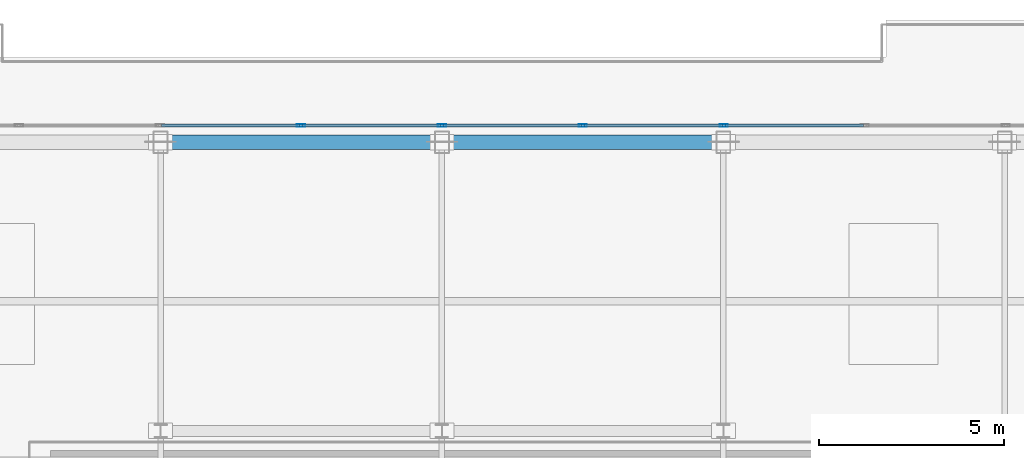
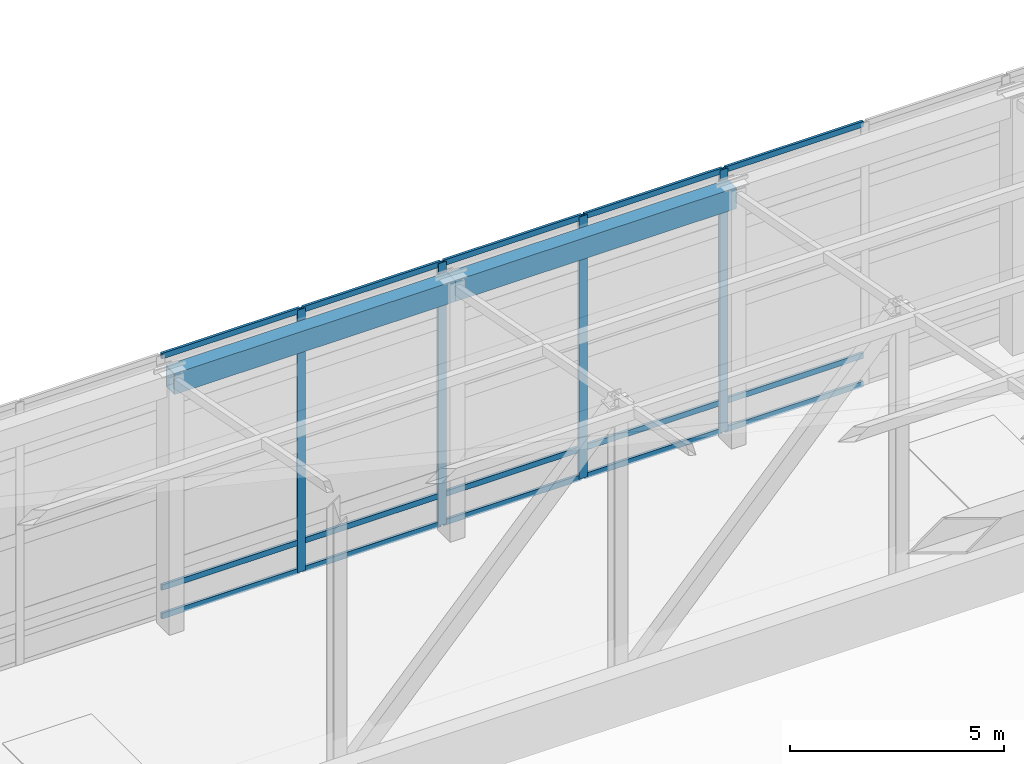
# One storey, part 18 of 25: 19 members, 2 beams, 1 element without a shape of its own.
"""IFC4 building model written with IfcOpenShell, lengths in metres."""

from ifc_helpers import new_model, si_unit, direction, frame, origin, origin_2d, place, context, subcontext, project, spatial, hollow_rectangle, extrude, source, transform, mapped, material, layer, layer_set, material_profile, profile_set, type_object, type_shapes, element, aggregate, save


model = new_model("IFC4")

# Units and contexts
model_context = context("Model", 3, precision=1e-05, world=origin(), true_north=direction((0.0, 1.0)))
body_context = subcontext(model_context, "Body", "Model", "MODEL_VIEW")
ifc_project = project(units=[si_unit("LENGTHUNIT", "METRE"), si_unit("AREAUNIT", "SQUARE_METRE"), si_unit("VOLUMEUNIT", "CUBIC_METRE"), si_unit("PLANEANGLEUNIT", "RADIAN"), si_unit("MASSUNIT", "GRAM", prefix="KILO")], contexts=[model_context])

# Site, building, storey
site_placement = place(None, origin())
site = spatial("IfcSite", under=ifc_project, at=site_placement, CompositionType="ELEMENT")
building_placement = place(site_placement, origin())
building = spatial("IfcBuilding", under=site, at=building_placement, Name="Haelvirn Gate Laboratories", CompositionType="ELEMENT")
storey_placement = place(building_placement, frame((0.0, 0.0, 337.800048828125)))
storey = spatial("IfcBuildingStorey", under=building, at=storey_placement, Name="RF", CompositionType="ELEMENT", Elevation=337.800048828125)

# Beams
ifc_material_1 = material(Name="Steel SM420", Category="steel")
ifc_material_profile_1 = material_profile(ifc_material_1, hollow_rectangle(XDim=0.39990234375, YDim=0.60009765625, WallThickness=0.02490234375, at=origin_2d()), Name="BOX-600x400x25")
ifc_profile_set_1 = profile_set([ifc_material_profile_1], Name="Steel SM420")
beam_type = type_object("IfcBeamType", Name="BM-CROWN-CAP", PredefinedType="USERDEFINED", material=ifc_profile_set_1)
shared_shape_1 = source(origin(), body_context, "Body", "SweptSolid", [
    extrude(hollow_rectangle(XDim=0.39990234375, YDim=0.60009765625, WallThickness=0.02490234375, at=origin_2d()), origin(), (0.0, 0.0, 1.0), 7.60009765625),
])
beam_1_placement = place(storey_placement, frame((45.0, 41.60009765625, 7.050048828125), z_axis=(-1.0, 0.0, 0.0), x_axis=(0.0, -1.0, 0.0)))
element("IfcBeam", 1, at=beam_1_placement, inside=storey, type_object=beam_type, Name="RF Crown Frame Cap Ring Beam N5-N4", ObjectType="CROWN FRAME", PredefinedType="USERDEFINED", context=body_context, shape_type="MappedRepresentation", body=[
    mapped(shared_shape_1, transform((0.0, 0.0, 0.0), scale=1.0)),
])
shared_shape_2 = source(origin(), body_context, "Body", "SweptSolid", [
    extrude(hollow_rectangle(XDim=0.39990234375, YDim=0.60009765625, WallThickness=0.02490234375, at=origin_2d()), origin(), (0.0, 0.0, 1.0), 7.599853515625),
])
type_shapes(beam_type, [shared_shape_1, shared_shape_2])
beam_2_placement = place(storey_placement, frame((37.39990234375, 41.60009765625, 7.050048828125), z_axis=(-1.0, 0.0, 0.0), x_axis=(0.0, -1.0, 0.0)))
element("IfcBeam", 2, at=beam_2_placement, inside=storey, type_object=beam_type, Name="RF Crown Frame Cap Ring Beam N4-N3", ObjectType="CROWN FRAME", PredefinedType="USERDEFINED", context=body_context, shape_type="MappedRepresentation", body=[
    mapped(shared_shape_2, transform((0.0, 0.0, 0.0), scale=1.0)),
])

# Curtain wall, members
ifc_material_2 = material(Name="Anodised bronze unitised aluminium & triple low-E glass", Category="aluminium")
ifc_layer = layer(ifc_material_2, 0.19189453125, Name="CW-SYS-6")
ifc_layer_set = layer_set([ifc_layer], Name="Anodised bronze unitised aluminium & triple low-E glass")
curtain_wall_type = type_object("IfcCurtainWallType", Name="CW-SYS-6", PredefinedType="NOTDEFINED", material=ifc_layer_set)
curtain_wall_placement = place(storey_placement, origin())
curtain_wall = element("IfcCurtainWall", 3, at=curtain_wall_placement, inside=storey, type_object=curtain_wall_type, Name="RF Unitised Curtain Wall CW-RF-RING-04", PredefinedType="NOTDEFINED")
ifc_material_3 = material(Name="Extruded aluminium 6063-T6 (anodised bronze)", Category="aluminium")
ifc_material_profile_2 = material_profile(ifc_material_3, hollow_rectangle(XDim=0.080078125, YDim=0.219970703125, WallThickness=0.006103515625, at=origin_2d()), Name="CWM-220x80x6")
ifc_profile_set_2 = profile_set([ifc_material_profile_2], Name="Extruded aluminium 6063-T6 (anodised bronze)")
member_type_1 = type_object("IfcMemberType", Name="CWM-T220", PredefinedType="MULLION", material=ifc_profile_set_2)
shared_shape_3 = source(origin(), body_context, "Body", "SweptSolid", [
    extrude(hollow_rectangle(XDim=0.080078125, YDim=0.219970703125, WallThickness=0.006103515625, at=origin_2d()), origin(), (0.0, 0.0, 1.0), 7.5),
])
type_shapes(member_type_1, [shared_shape_3])
member_1_placement = place(storey_placement, frame((45.0166015625, 42.050048828125, 0.0), z_axis=(0.0, 0.0, 1.0), x_axis=(0.0, -1.0, 0.0)))
member_1 = element("IfcMember", 4, at=member_1_placement, type_object=member_type_1, Name="CW6 mullion 5", PredefinedType="MULLION", context=body_context, shape_type="MappedRepresentation", body=[
    mapped(shared_shape_3, transform((0.0, 0.0, 0.0), scale=1.0)),
])
member_2_placement = place(storey_placement, frame((41.208251953125, 42.050048828125, 0.0), z_axis=(0.0, 0.0, 1.0), x_axis=(0.0, -1.0, 0.0)))
member_2 = element("IfcMember", 5, at=member_2_placement, type_object=member_type_1, Name="CW6 mullion 6", PredefinedType="MULLION", context=body_context, shape_type="MappedRepresentation", body=[
    mapped(shared_shape_3, transform((0.0, 0.0, 0.0), scale=1.0)),
])
member_3_placement = place(storey_placement, frame((37.39990234375, 42.050048828125, 0.0), z_axis=(0.0, 0.0, 1.0), x_axis=(0.0, -1.0, 0.0)))
member_3 = element("IfcMember", 6, at=member_3_placement, type_object=member_type_1, Name="CW6 mullion 7", PredefinedType="MULLION", context=body_context, shape_type="MappedRepresentation", body=[
    mapped(shared_shape_3, transform((0.0, 0.0, 0.0), scale=1.0)),
])
member_4_placement = place(storey_placement, frame((33.591552734375, 42.050048828125, 0.0), z_axis=(0.0, 0.0, 1.0), x_axis=(0.0, -1.0, 0.0)))
member_4 = element("IfcMember", 7, at=member_4_placement, type_object=member_type_1, Name="CW6 mullion 8", PredefinedType="MULLION", context=body_context, shape_type="MappedRepresentation", body=[
    mapped(shared_shape_3, transform((0.0, 0.0, 0.0), scale=1.0)),
])
ifc_material_profile_3 = material_profile(ifc_material_3, hollow_rectangle(XDim=0.070068359375, YDim=0.159912109375, WallThickness=0.0048828125, at=origin_2d()), Name="CWT-160x70x5")
ifc_profile_set_3 = profile_set([ifc_material_profile_3], Name="Extruded aluminium 6063-T6 (anodised bronze)")
member_type_2 = type_object("IfcMemberType", Name="CWT-T160", PredefinedType="USERDEFINED", material=ifc_profile_set_3)
shared_shape_4 = source(origin(), body_context, "Body", "SweptSolid", [
    extrude(hollow_rectangle(XDim=0.070068359375, YDim=0.159912109375, WallThickness=0.0048828125, at=origin_2d()), origin(), (0.0, 0.0, 1.0), 3.728271484375),
])
member_5_placement = place(storey_placement, frame((48.784912109375, 42.050048828125, 0.034912109375), z_axis=(-1.0, 0.0, 0.0), x_axis=(0.0, -1.0, 0.0)))
member_5 = element("IfcMember", 8, at=member_5_placement, type_object=member_type_2, Name="CW6 transom 4.1", ObjectType="TRANSOM", PredefinedType="USERDEFINED", context=body_context, shape_type="MappedRepresentation", body=[
    mapped(shared_shape_4, transform((0.0, 0.0, 0.0), scale=1.0)),
])
member_6_placement = place(storey_placement, frame((48.784912109375, 42.050048828125, 0.849853515625), z_axis=(-1.0, 0.0, 0.0), x_axis=(0.0, -1.0, 0.0)))
member_6 = element("IfcMember", 9, at=member_6_placement, type_object=member_type_2, Name="CW6 transom 4.2", ObjectType="TRANSOM", PredefinedType="USERDEFINED", context=body_context, shape_type="MappedRepresentation", body=[
    mapped(shared_shape_4, transform((0.0, 0.0, 0.0), scale=1.0)),
])
member_7_placement = place(storey_placement, frame((48.784912109375, 42.050048828125, 7.46484375), z_axis=(-1.0, 0.0, 0.0), x_axis=(0.0, -1.0, 0.0)))
member_7 = element("IfcMember", 10, at=member_7_placement, type_object=member_type_2, Name="CW6 transom 4.3", ObjectType="TRANSOM", PredefinedType="USERDEFINED", context=body_context, shape_type="MappedRepresentation", body=[
    mapped(shared_shape_4, transform((0.0, 0.0, 0.0), scale=1.0)),
])
member_8_placement = place(storey_placement, frame((44.9765625, 42.050048828125, 0.034912109375), z_axis=(-1.0, 0.0, 0.0), x_axis=(0.0, -1.0, 0.0)))
member_8 = element("IfcMember", 11, at=member_8_placement, type_object=member_type_2, Name="CW6 transom 5.1", ObjectType="TRANSOM", PredefinedType="USERDEFINED", context=body_context, shape_type="MappedRepresentation", body=[
    mapped(shared_shape_4, transform((0.0, 0.0, 0.0), scale=1.0)),
])
member_9_placement = place(storey_placement, frame((44.9765625, 42.050048828125, 0.849853515625), z_axis=(-1.0, 0.0, 0.0), x_axis=(0.0, -1.0, 0.0)))
member_9 = element("IfcMember", 12, at=member_9_placement, type_object=member_type_2, Name="CW6 transom 5.2", ObjectType="TRANSOM", PredefinedType="USERDEFINED", context=body_context, shape_type="MappedRepresentation", body=[
    mapped(shared_shape_4, transform((0.0, 0.0, 0.0), scale=1.0)),
])
member_10_placement = place(storey_placement, frame((44.9765625, 42.050048828125, 7.46484375), z_axis=(-1.0, 0.0, 0.0), x_axis=(0.0, -1.0, 0.0)))
member_10 = element("IfcMember", 13, at=member_10_placement, type_object=member_type_2, Name="CW6 transom 5.3", ObjectType="TRANSOM", PredefinedType="USERDEFINED", context=body_context, shape_type="MappedRepresentation", body=[
    mapped(shared_shape_4, transform((0.0, 0.0, 0.0), scale=1.0)),
])
member_11_placement = place(storey_placement, frame((41.168212890625, 42.050048828125, 0.034912109375), z_axis=(-1.0, 0.0, 0.0), x_axis=(0.0, -1.0, 0.0)))
member_11 = element("IfcMember", 14, at=member_11_placement, type_object=member_type_2, Name="CW6 transom 6.1", ObjectType="TRANSOM", PredefinedType="USERDEFINED", context=body_context, shape_type="MappedRepresentation", body=[
    mapped(shared_shape_4, transform((0.0, 0.0, 0.0), scale=1.0)),
])
member_12_placement = place(storey_placement, frame((41.168212890625, 42.050048828125, 0.849853515625), z_axis=(-1.0, 0.0, 0.0), x_axis=(0.0, -1.0, 0.0)))
member_12 = element("IfcMember", 15, at=member_12_placement, type_object=member_type_2, Name="CW6 transom 6.2", ObjectType="TRANSOM", PredefinedType="USERDEFINED", context=body_context, shape_type="MappedRepresentation", body=[
    mapped(shared_shape_4, transform((0.0, 0.0, 0.0), scale=1.0)),
])
member_13_placement = place(storey_placement, frame((41.168212890625, 42.050048828125, 7.46484375), z_axis=(-1.0, 0.0, 0.0), x_axis=(0.0, -1.0, 0.0)))
member_13 = element("IfcMember", 16, at=member_13_placement, type_object=member_type_2, Name="CW6 transom 6.3", ObjectType="TRANSOM", PredefinedType="USERDEFINED", context=body_context, shape_type="MappedRepresentation", body=[
    mapped(shared_shape_4, transform((0.0, 0.0, 0.0), scale=1.0)),
])
shared_shape_5 = source(origin(), body_context, "Body", "SweptSolid", [
    extrude(hollow_rectangle(XDim=0.070068359375, YDim=0.159912109375, WallThickness=0.0048828125, at=origin_2d()), origin(), (0.0, 0.0, 1.0), 3.728515625),
])
type_shapes(member_type_2, [shared_shape_4, shared_shape_5])
member_14_placement = place(storey_placement, frame((37.360107421875, 42.050048828125, 0.034912109375), z_axis=(-1.0, 0.0, 0.0), x_axis=(0.0, -1.0, 0.0)))
member_14 = element("IfcMember", 17, at=member_14_placement, type_object=member_type_2, Name="CW6 transom 7.1", ObjectType="TRANSOM", PredefinedType="USERDEFINED", context=body_context, shape_type="MappedRepresentation", body=[
    mapped(shared_shape_5, transform((0.0, 0.0, 0.0), scale=1.0)),
])
member_15_placement = place(storey_placement, frame((37.360107421875, 42.050048828125, 0.849853515625), z_axis=(-1.0, 0.0, 0.0), x_axis=(0.0, -1.0, 0.0)))
member_15 = element("IfcMember", 18, at=member_15_placement, type_object=member_type_2, Name="CW6 transom 7.2", ObjectType="TRANSOM", PredefinedType="USERDEFINED", context=body_context, shape_type="MappedRepresentation", body=[
    mapped(shared_shape_5, transform((0.0, 0.0, 0.0), scale=1.0)),
])
member_16_placement = place(storey_placement, frame((37.360107421875, 42.050048828125, 7.46484375), z_axis=(-1.0, 0.0, 0.0), x_axis=(0.0, -1.0, 0.0)))
member_16 = element("IfcMember", 19, at=member_16_placement, type_object=member_type_2, Name="CW6 transom 7.3", ObjectType="TRANSOM", PredefinedType="USERDEFINED", context=body_context, shape_type="MappedRepresentation", body=[
    mapped(shared_shape_5, transform((0.0, 0.0, 0.0), scale=1.0)),
])
member_17_placement = place(storey_placement, frame((33.5517578125, 42.050048828125, 0.034912109375), z_axis=(-1.0, 0.0, 0.0), x_axis=(0.0, -1.0, 0.0)))
member_17 = element("IfcMember", 20, at=member_17_placement, type_object=member_type_2, Name="CW6 transom 8.1", ObjectType="TRANSOM", PredefinedType="USERDEFINED", context=body_context, shape_type="MappedRepresentation", body=[
    mapped(shared_shape_5, transform((0.0, 0.0, 0.0), scale=1.0)),
])
member_18_placement = place(storey_placement, frame((33.5517578125, 42.050048828125, 0.849853515625), z_axis=(-1.0, 0.0, 0.0), x_axis=(0.0, -1.0, 0.0)))
member_18 = element("IfcMember", 21, at=member_18_placement, type_object=member_type_2, Name="CW6 transom 8.2", ObjectType="TRANSOM", PredefinedType="USERDEFINED", context=body_context, shape_type="MappedRepresentation", body=[
    mapped(shared_shape_5, transform((0.0, 0.0, 0.0), scale=1.0)),
])
member_19_placement = place(storey_placement, frame((33.5517578125, 42.050048828125, 7.46484375), z_axis=(-1.0, 0.0, 0.0), x_axis=(0.0, -1.0, 0.0)))
member_19 = element("IfcMember", 22, at=member_19_placement, type_object=member_type_2, Name="CW6 transom 8.3", ObjectType="TRANSOM", PredefinedType="USERDEFINED", context=body_context, shape_type="MappedRepresentation", body=[
    mapped(shared_shape_5, transform((0.0, 0.0, 0.0), scale=1.0)),
])
aggregate(curtain_wall, [member_1, member_2, member_3, member_4, member_5, member_6, member_7, member_8, member_9, member_10, member_11, member_12, member_13, member_14, member_15, member_16, member_17, member_18, member_19])

save(model, "model.ifc")
